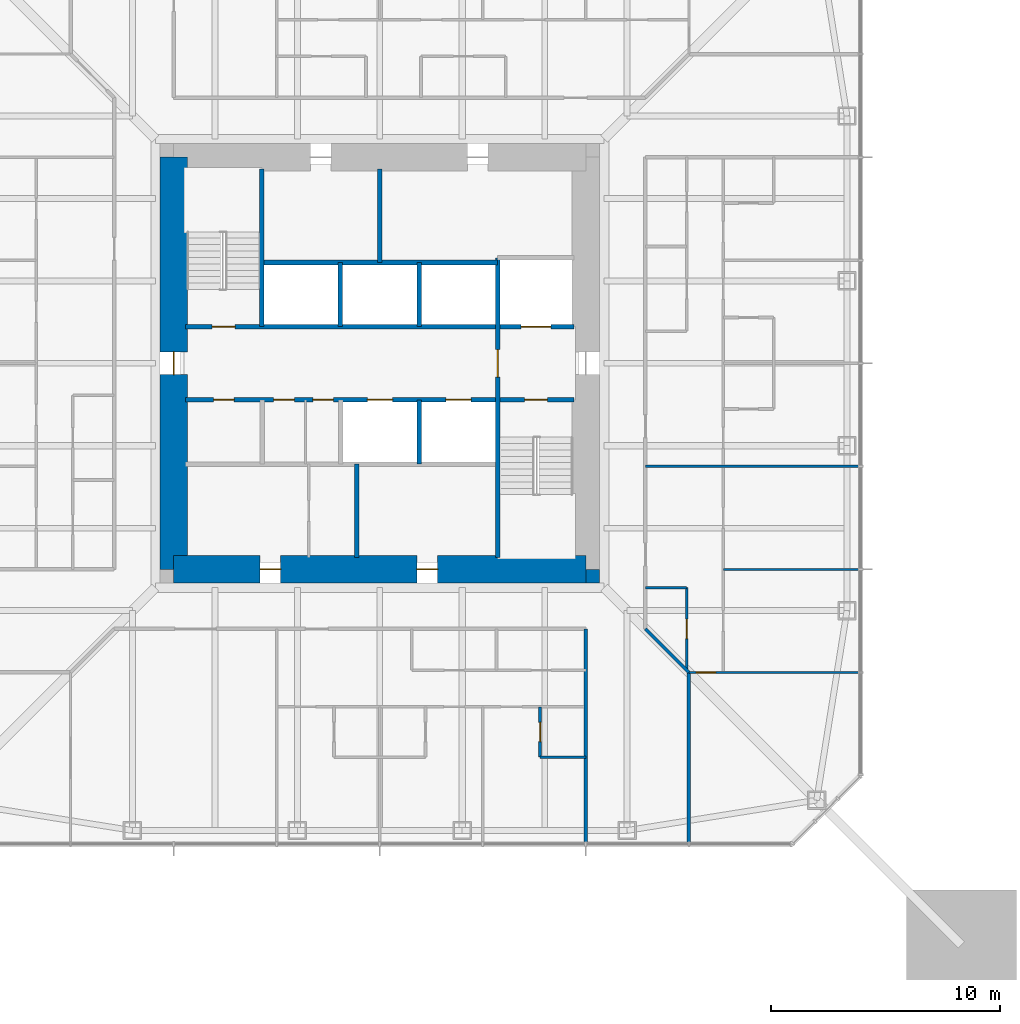
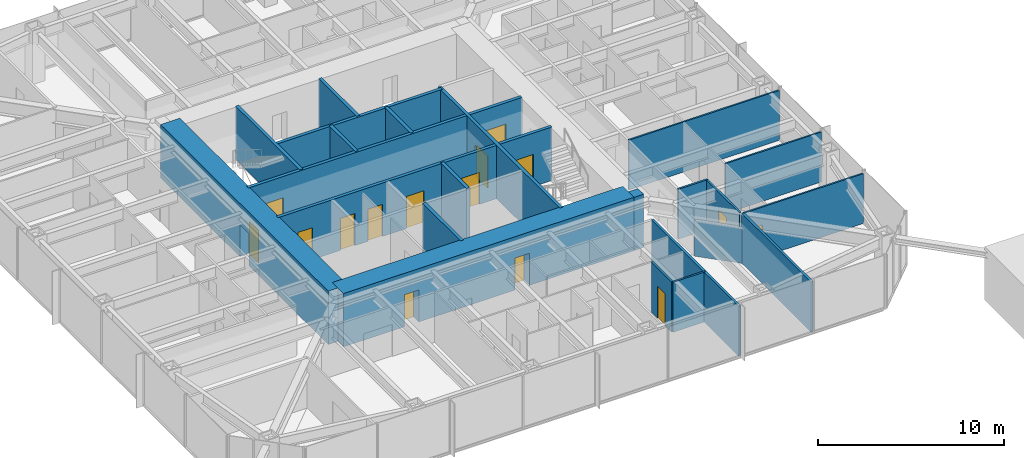
# One storey, part 8 of 14: 23 walls, 15 doors, 15 openings.
"""IFC4 building model written with IfcOpenShell, lengths in metres."""

import ifcopenshell
import ifcopenshell.guid

model = None  # the IFC model being written
_history = None  # IfcOwnerHistory: only IFC2X3 demands one
_inside = {}  # id of a spatial element -> (the spatial element, [elements in it])
_under = {}  # id of a project, library or spatial element -> (it, [spatial elements below it])
_declared = {}  # id of a project -> (the project, [libraries it declares])
_typed = {}  # id of a type object -> (the type object, [elements of that type])
_made_of = {}  # id of a material, layer set ... -> (it, [elements and type objects made of it])


def new_model(schema):
    """Start an empty IFC model of exactly this schema.

    Asked for "IFC4X3", IfcOpenShell would pick the latest addendum, in which some entities
    have other attributes; the version numbers below select the first issue.
    IFC2X3 requires an IfcOwnerHistory on every rooted entity: one is made here for all.
    """
    global model, _history
    if schema == "IFC4X3":
        model = ifcopenshell.file(schema_version=(4, 3, 0, 0))
    else:
        model = ifcopenshell.file(schema=schema)
    _inside.clear()
    _under.clear()
    _declared.clear()
    _typed.clear()
    _made_of.clear()
    _history = None
    if model.schema == "IFC2X3":
        org = make("IfcOrganization", Name="unknown")
        user = make(
            "IfcPersonAndOrganization",
            ThePerson=make("IfcPerson", FamilyName="unknown"),
            TheOrganization=org,
        )
        app = make(
            "IfcApplication",
            ApplicationDeveloper=org,
            Version="unknown",
            ApplicationFullName="unknown",
            ApplicationIdentifier="unknown",
        )
        _history = make(
            "IfcOwnerHistory",
            OwningUser=user,
            OwningApplication=app,
            ChangeAction="ADDED",
            CreationDate=0,
        )
    return model


def make(cls, **values):
    """One entity of the class cls with the attributes given. An attribute that is None is left unset."""
    return model.create_entity(
        cls, **{name: value for name, value in values.items() if value is not None}
    )


def rooted(cls, **values):
    """An entity with a GlobalId (a new one), such as an element, a storey or a relation."""
    return make(cls, GlobalId=ifcopenshell.guid.new(), OwnerHistory=_history, **values)


def si_unit(unit_type, name, prefix=None):
    """IfcSIUnit, for example si_unit("LENGTHUNIT", "METRE", prefix="MILLI")."""
    return make("IfcSIUnit", UnitType=unit_type, Prefix=prefix, Name=name)


def assignment(units):
    """IfcUnitAssignment: the units of a project."""
    return None if units is None else make("IfcUnitAssignment", Units=units)


def point(xyz):
    """IfcCartesianPoint."""
    return None if xyz is None else make("IfcCartesianPoint", Coordinates=xyz)


def direction(xyz):
    """IfcDirection."""
    return None if xyz is None else make("IfcDirection", DirectionRatios=xyz)


def frame(location, z_axis=None, x_axis=None):
    """IfcAxis2Placement3D, a coordinate frame: its origin and axes. An axis left out is left unset."""
    return make(
        "IfcAxis2Placement3D",
        Location=point(location),
        Axis=direction(z_axis),
        RefDirection=direction(x_axis),
    )


def frame_2d(location, x_axis=None):
    """IfcAxis2Placement2D, a coordinate frame in the plane: its origin and x axis."""
    return make(
        "IfcAxis2Placement2D", Location=point(location), RefDirection=direction(x_axis)
    )


def origin():
    """The frame at (0, 0, 0) with its axes left unset."""
    return frame((0.0, 0.0, 0.0))


def place(relative_to, where):
    """IfcLocalPlacement: puts the frame where relative to a parent placement (None: the world)."""
    return make(
        "IfcLocalPlacement", PlacementRelTo=relative_to, RelativePlacement=where
    )


def context(
    kind, dimensions, precision=None, world=None, true_north=None, identifier=None
):
    """IfcGeometricRepresentationContext, for example the 3D "Model" context."""
    return make(
        "IfcGeometricRepresentationContext",
        ContextIdentifier=identifier,
        ContextType=kind,
        CoordinateSpaceDimension=dimensions,
        Precision=precision,
        WorldCoordinateSystem=world,
        TrueNorth=true_north,
    )


def subcontext(parent, identifier, kind, view, scale=None):
    """IfcGeometricRepresentationSubContext, for example "Body" below "Model"."""
    return make(
        "IfcGeometricRepresentationSubContext",
        ContextIdentifier=identifier,
        ContextType=kind,
        ParentContext=parent,
        TargetScale=scale,
        TargetView=view,
    )


def project(units=None, contexts=None):
    """IfcProject with its units and contexts."""
    return rooted(
        "IfcProject",
        Name="project",
        RepresentationContexts=contexts,
        UnitsInContext=assignment(units),
    )


def spatial(cls, under=None, at=None, **own):
    """A site, building, storey or space (cls), placed at a placement, below another one or the project."""
    s = rooted(cls, ObjectPlacement=at, **own)
    if under is not None:
        _under.setdefault(under.id(), (under, []))[1].append(s)
    return s


def profile(cls, at=None, kind="AREA", **sizes):
    """A parametric profile (cls). Its sizes go by their IFC names, for example OverallWidth=200.0."""
    return make(cls, ProfileType=kind, Position=at, **sizes)


def rectangle(**sizes):
    """IfcRectangleProfileDef."""
    return profile("IfcRectangleProfileDef", **sizes)


def extrude(swept, where, along, depth):
    """IfcExtrudedAreaSolid: the profile swept, set in the frame where, extruded along a direction by depth."""
    return make(
        "IfcExtrudedAreaSolid",
        SweptArea=swept,
        Position=where,
        ExtrudedDirection=direction(along),
        Depth=depth,
    )


def shape(context_of_items, identifier, shape_type, items):
    """IfcShapeRepresentation: the items that make up one representation, for example the "Body"."""
    return make(
        "IfcShapeRepresentation",
        ContextOfItems=context_of_items,
        RepresentationIdentifier=identifier,
        RepresentationType=shape_type,
        Items=items,
    )


def material(Name=None, Category=None):
    """IfcMaterial."""
    return make("IfcMaterial", Name=Name, Category=Category)


def layer(
    of_material, thickness, ventilated=None, Name=None, Category=None, Priority=None
):
    """IfcMaterialLayer: one layer of a wall or slab, of a material (None: an air gap)."""
    return make(
        "IfcMaterialLayer",
        Material=of_material,
        LayerThickness=thickness,
        IsVentilated=ventilated,
        Name=Name,
        Category=Category,
        Priority=Priority,
    )


def layer_set(layers, Name=None):
    """IfcMaterialLayerSet."""
    return make("IfcMaterialLayerSet", MaterialLayers=layers, LayerSetName=Name)


def made_of(thing, what):
    """Note that an element or type object is made of a material, layer set ...; save() writes the relation."""
    if what is not None:
        _made_of.setdefault(what.id(), (what, []))[1].append(thing)
    return thing


def type_object(cls, material=None, **own):
    """A type object (cls), such as IfcWallType, which elements share."""
    return made_of(rooted(cls, **own), material)


def element(
    cls,
    number,
    at=None,
    inside=None,
    cuts=None,
    type_object=None,
    material=None,
    context=None,
    identifier="Body",
    shape_type=None,
    held_by="IfcProductDefinitionShape",
    body=None,
    shapes=None,
    **own,
):
    """One element of the class cls, such as IfcWall. Its Tag is "e" and its number.

    at: its placement. inside: the storey or other place that contains it. cuts: it is an
    opening in that element (IfcRelVoidsElement). A single representation is given by context,
    identifier, shape_type and body (its items); several are given by shapes. held_by: the class
    of the entity that holds the representations. save() writes the other relations.
    """
    e = rooted(cls, Tag="e%d" % number, ObjectPlacement=at, **own)
    if body is not None:
        shapes = [shape(context, identifier, shape_type, body)]
    if shapes is not None:
        e.Representation = make(held_by, Representations=shapes)
    if inside is not None:
        _inside.setdefault(inside.id(), (inside, []))[1].append(e)
    if cuts is not None:
        rooted(
            "IfcRelVoidsElement", RelatingBuildingElement=cuts, RelatedOpeningElement=e
        )
    if type_object is not None:
        _typed.setdefault(type_object.id(), (type_object, []))[1].append(e)
    return made_of(e, material)


def fill(opening, filler):
    """IfcRelFillsElement: the door or window that sits in an opening."""
    return rooted(
        "IfcRelFillsElement",
        RelatingOpeningElement=opening,
        RelatedBuildingElement=filler,
    )


def aggregate(whole, parts):
    """IfcRelAggregates: a whole, such as a stair, and the parts it consists of."""
    return rooted("IfcRelAggregates", RelatingObject=whole, RelatedObjects=parts)


def save(model, path):
    """Write the relations noted so far, then the file.

    IfcRelAggregates (storeys below a building ...), IfcRelContainedInSpatialStructure (elements
    in a storey), IfcRelDefinesByType, IfcRelAssociatesMaterial and IfcRelDeclares: one each for
    every whole, place, type object, material and project.
    """
    for whole, parts in _under.values():
        aggregate(whole, parts)
    for where, things in _inside.values():
        rooted(
            "IfcRelContainedInSpatialStructure",
            RelatedElements=things,
            RelatingStructure=where,
        )
    for kind, things in _typed.values():
        rooted("IfcRelDefinesByType", RelatedObjects=things, RelatingType=kind)
    for what, things in _made_of.values():
        rooted("IfcRelAssociatesMaterial", RelatedObjects=things, RelatingMaterial=what)
    for by, libraries in _declared.values():
        rooted("IfcRelDeclares", RelatingContext=by, RelatedDefinitions=libraries)
    model.write(path)


model = new_model("IFC4")

# Units and contexts
model_context = context("Model", 3, precision=1e-05, world=origin(), true_north=direction((0.0, 1.0)))
body_context = subcontext(model_context, "Body", "Model", "MODEL_VIEW")
ifc_project = project(units=[si_unit("LENGTHUNIT", "METRE"), si_unit("AREAUNIT", "SQUARE_METRE"), si_unit("VOLUMEUNIT", "CUBIC_METRE"), si_unit("PLANEANGLEUNIT", "RADIAN"), si_unit("MASSUNIT", "GRAM", prefix="KILO")], contexts=[model_context])

# Site, building, storey
site_placement = place(None, origin())
site = spatial("IfcSite", under=ifc_project, at=site_placement, CompositionType="ELEMENT")
building_placement = place(site_placement, origin())
building = spatial("IfcBuilding", under=site, at=building_placement, Name="Iwan Alto Co-Living Towers", CompositionType="ELEMENT")
storey_placement = place(building_placement, frame((0.0, 0.0, 136.5)))
storey = spatial("IfcBuildingStorey", under=building, at=storey_placement, Name="L37", CompositionType="ELEMENT", Elevation=136.5)

# Walls
ifc_material_1 = material(Name="Gypsum board")
ifc_layer_1 = layer(ifc_material_1, 0.02490234375, Name="Board", Category="Finish")
ifc_material_2 = material(Name="Steel ASTM A1003 ST33H cold-formed studs", Category="steel")
ifc_layer_2 = layer(ifc_material_2, 0.10009765625, Name="Studs", Category="Framing")
ifc_layer_3 = layer(ifc_material_1, 0.02490234375, Name="Board", Category="Finish")
ifc_layer_set_1 = layer_set([ifc_layer_1, ifc_layer_2, ifc_layer_3], Name="CORRIDOR WALL 150")
wall_type_1 = type_object("IfcWallType", Name="CORRIDOR WALL 150", PredefinedType="PARTITIONING", material=ifc_layer_set_1)
wall_1_placement = place(storey_placement, frame((13.5, -20.93994140625, 0.0), z_axis=(0.0, 0.0, 1.0), x_axis=(0.0, 1.0, 0.0)))
element("IfcWall", 1, at=wall_1_placement, inside=storey, type_object=wall_type_1, Name="Partition L37", PredefinedType="PARTITIONING", context=body_context, shape_type="SweptSolid", body=[
    extrude(rectangle(XDim=7.43994140625, YDim=0.14990234375, at=frame_2d((3.719970703125, 0.0))), origin(), (0.0, 0.0, 1.0), 3.27001953125),
])
wall_2_placement = place(storey_placement, frame((9.0, -20.93994140625, 0.0), z_axis=(0.0, 0.0, 1.0), x_axis=(0.0, 1.0, 0.0)))
element("IfcWall", 2, at=wall_2_placement, inside=storey, type_object=wall_type_1, Name="Partition L37", PredefinedType="PARTITIONING", context=body_context, shape_type="SweptSolid", body=[
    extrude(rectangle(XDim=9.33984375, YDim=0.14990234375, at=frame_2d((4.669921875, 0.0))), origin(), (0.0, 0.0, 1.0), 3.27001953125),
])
wall_3_placement = place(storey_placement, frame((13.5, -13.5, 0.0), z_axis=(0.0, 0.0, 1.0), x_axis=(-0.707106781187, 0.707106781187, 0.0)))
element("IfcWall", 3, at=wall_3_placement, inside=storey, type_object=wall_type_1, Name="Partition L37", PredefinedType="PARTITIONING", context=body_context, shape_type="SweptSolid", body=[
    extrude(rectangle(XDim=2.686767578125, YDim=0.14990234375, at=frame_2d((1.34326171875, 0.0))), origin(), (0.0, 0.0, 1.0), 2.343017578125),
])

# Wall, opening, door
ifc_layer_4 = layer(ifc_material_1, 0.012451171875, Name="Board", Category="Finish")
ifc_layer_5 = layer(ifc_material_2, 0.074951171875, Name="Studs", Category="Framing")
ifc_layer_6 = layer(ifc_material_1, 0.012451171875, Name="Board", Category="Finish")
ifc_layer_set_2 = layer_set([ifc_layer_4, ifc_layer_5, ifc_layer_6], Name="PARTITION 100")
wall_type_2 = type_object("IfcWallType", Name="PARTITION 100", PredefinedType="PARTITIONING", material=ifc_layer_set_2)
wall_4_placement = place(storey_placement, frame((13.5, -13.5, 0.0), z_axis=(0.0, 0.0, 1.0), x_axis=(1.0, 0.0, 0.0)))
wall_4 = element("IfcWall", 4, at=wall_4_placement, inside=storey, type_object=wall_type_2, Name="Partition L37", PredefinedType="PARTITIONING", context=body_context, shape_type="SweptSolid", body=[
    extrude(rectangle(XDim=7.43994140625, YDim=0.10009765625, at=frame_2d((3.719970703125, 0.0))), origin(), (0.0, 0.0, 1.0), 3.27001953125),
])
opening_1_placement = place(wall_4_placement, frame((0.324951171875, 0.0, 0.0)))
opening_1 = element("IfcOpeningElement", 5, at=opening_1_placement, cuts=wall_4, Name="Opening D2", PredefinedType="OPENING", context=body_context, shape_type="SweptSolid", body=[
    extrude(rectangle(XDim=0.85009765625, YDim=2.10009765625, at=frame_2d((0.425048828125, 1.050048828125))), frame((0.0, 0.06005859375, 0.0), z_axis=(0.0, -1.0, 0.0), x_axis=(1.0, 0.0, 0.0)), (0.0, 0.0, 1.0), 0.1201171875),
])
ifc_material_3 = material(Name="Timber leaf in steel frame", Category="steel")
door_type_1 = type_object("IfcDoorType", Name="ROOM DOOR 850X2100", OperationType="SINGLE_SWING_LEFT", PredefinedType="DOOR", material=ifc_material_3)
door_1_placement = place(opening_1_placement, frame((0.85009765625, 0.0, 0.0), z_axis=(0.0, 0.0, 1.0), x_axis=(-1.0, 0.0, 0.0)))
door_1 = element("IfcDoor", 6, at=door_1_placement, inside=storey, type_object=door_type_1, Name="Shared kitchen and lounge door L37", OperationType="SINGLE_SWING_RIGHT", OverallHeight=2.10009765625, OverallWidth=0.85009765625, PredefinedType="DOOR", context=body_context, shape_type="SweptSolid", body=[
    extrude(rectangle(XDim=0.85009765625, YDim=2.10009765625, at=frame_2d((0.425048828125, 1.050048828125))), frame((0.0, 0.02490234375, 0.0), z_axis=(0.0, -1.0, 0.0), x_axis=(1.0, 0.0, 0.0)), (0.0, 0.0, 1.0), 0.050048828125),
])
fill(opening_1, door_1)

# Walls
wall_5_placement = place(storey_placement, frame((15.0, -9.0, 0.0), z_axis=(0.0, 0.0, 1.0), x_axis=(1.0, 0.0, 0.0)))
element("IfcWall", 7, at=wall_5_placement, inside=storey, type_object=wall_type_2, Name="Partition L37", PredefinedType="PARTITIONING", context=body_context, shape_type="SweptSolid", body=[
    extrude(rectangle(XDim=5.93994140625, YDim=0.10009765625, at=frame_2d((2.969970703125, 0.0))), origin(), (0.0, 0.0, 1.0), 3.27001953125),
])
wall_6_placement = place(storey_placement, frame((11.60009765625, -4.5, 0.0), z_axis=(0.0, 0.0, 1.0), x_axis=(1.0, 0.0, 0.0)))
element("IfcWall", 8, at=wall_6_placement, inside=storey, type_object=wall_type_2, Name="Partition L37", PredefinedType="PARTITIONING", context=body_context, shape_type="SweptSolid", body=[
    extrude(rectangle(XDim=9.33984375, YDim=0.10009765625, at=frame_2d((4.669921875, 0.0))), origin(), (0.0, 0.0, 1.0), 3.27001953125),
])

# Wall, openings, doors
ifc_material_4 = material(Name="Concrete f'c 70 MPa", Category="concrete")
ifc_layer_7 = layer(ifc_material_4, 0.199951171875)
ifc_layer_set_3 = layer_set([ifc_layer_7], Name="SHAFT WALL 200")
wall_type_3 = type_object("IfcWallType", Name="SHAFT WALL 200", PredefinedType="SOLIDWALL", material=ifc_layer_set_3)
wall_7_placement = place(storey_placement, frame((-8.489990234375, -1.60009765625, 0.0), z_axis=(0.0, 0.0, 1.0), x_axis=(1.0, 0.0, 0.0)))
wall_7 = element("IfcWall", 9, at=wall_7_placement, inside=storey, type_object=wall_type_3, Name="Shaft wall L37", PredefinedType="SOLIDWALL", context=body_context, shape_type="SweptSolid", body=[
    extrude(rectangle(XDim=16.97998046875, YDim=0.199951171875, at=frame_2d((8.489990234375, 0.0))), origin(), (0.0, 0.0, 1.0), 3.5),
])
opening_2_placement = place(wall_7_placement, frame((14.81005859375, 0.0, 0.0)))
opening_2 = element("IfcOpeningElement", 10, at=opening_2_placement, cuts=wall_7, Name="Opening D5", PredefinedType="OPENING", context=body_context, shape_type="SweptSolid", body=[
    extrude(rectangle(XDim=1.0, YDim=2.10009765625, at=frame_2d((0.5, 1.050048828125))), frame((0.0, 0.10986328125, 0.0), z_axis=(0.0, -1.0, 0.0), x_axis=(1.0, 0.0, 0.0)), (0.0, 0.0, 1.0), 0.219970703125),
])
opening_3_placement = place(wall_7_placement, frame((1.23193359375, 0.0, 0.0)))
opening_3 = element("IfcOpeningElement", 11, at=opening_3_placement, cuts=wall_7, Name="Opening D15", PredefinedType="OPENING", context=body_context, shape_type="SweptSolid", body=[
    extrude(rectangle(XDim=0.89990234375, YDim=2.10009765625, at=frame_2d((0.449951171875, 1.050048828125))), frame((0.0, 0.10986328125, 0.0), z_axis=(0.0, -1.0, 0.0), x_axis=(1.0, 0.0, 0.0)), (0.0, 0.0, 1.0), 0.219970703125),
])
opening_4_placement = place(wall_7_placement, frame((5.570068359375, 0.0, 0.0)))
opening_4 = element("IfcOpeningElement", 12, at=opening_4_placement, cuts=wall_7, Name="Opening D15", PredefinedType="OPENING", context=body_context, shape_type="SweptSolid", body=[
    extrude(rectangle(XDim=0.89990234375, YDim=2.10009765625, at=frame_2d((0.449951171875, 1.050048828125))), frame((0.0, 0.10986328125, 0.0), z_axis=(0.0, -1.0, 0.0), x_axis=(1.0, 0.0, 0.0)), (0.0, 0.0, 1.0), 0.219970703125),
])
opening_5_placement = place(wall_7_placement, frame((3.85693359375, 0.0, 0.0)))
opening_5 = element("IfcOpeningElement", 13, at=opening_5_placement, cuts=wall_7, Name="Opening D15", PredefinedType="OPENING", context=body_context, shape_type="SweptSolid", body=[
    extrude(rectangle(XDim=0.89990234375, YDim=2.10009765625, at=frame_2d((0.449951171875, 1.050048828125))), frame((0.0, 0.10986328125, 0.0), z_axis=(0.0, -1.0, 0.0), x_axis=(1.0, 0.0, 0.0)), (0.0, 0.0, 1.0), 0.219970703125),
])
opening_6_placement = place(wall_7_placement, frame((7.952880859375, 0.0, 0.0)))
opening_6 = element("IfcOpeningElement", 14, at=opening_6_placement, cuts=wall_7, Name="Opening LD", PredefinedType="OPENING", context=body_context, shape_type="SweptSolid", body=[
    extrude(rectangle(XDim=1.10009765625, YDim=2.10009765625, at=frame_2d((0.550048828125, 1.050048828125))), frame((0.0, 0.10986328125, 0.0), z_axis=(0.0, -1.0, 0.0), x_axis=(1.0, 0.0, 0.0)), (0.0, 0.0, 1.0), 0.219970703125),
])
opening_7_placement = place(wall_7_placement, frame((11.3779296875, 0.0, 0.0)))
opening_7 = element("IfcOpeningElement", 15, at=opening_7_placement, cuts=wall_7, Name="Opening LD", PredefinedType="OPENING", context=body_context, shape_type="SweptSolid", body=[
    extrude(rectangle(XDim=1.10009765625, YDim=2.10009765625, at=frame_2d((0.550048828125, 1.050048828125))), frame((0.0, 0.10986328125, 0.0), z_axis=(0.0, -1.0, 0.0), x_axis=(1.0, 0.0, 0.0)), (0.0, 0.0, 1.0), 0.219970703125),
])
ifc_material_5 = material(Name="Steel frame with timber leaf", Category="steel")
door_type_2 = type_object("IfcDoorType", Name="CORE ROOM DOOR FD60S 900X2100", OperationType="SINGLE_SWING_LEFT", PredefinedType="DOOR", material=ifc_material_5)
door_2_placement = place(opening_3_placement, frame((0.89990234375, 0.0, 0.0), z_axis=(0.0, 0.0, 1.0), x_axis=(-1.0, 0.0, 0.0)))
door_2 = element("IfcDoor", 16, at=door_2_placement, inside=storey, type_object=door_type_2, Name="Housekeeping store door L37", OperationType="SINGLE_SWING_LEFT", OverallHeight=2.10009765625, OverallWidth=0.89990234375, PredefinedType="DOOR", context=body_context, shape_type="SweptSolid", body=[
    extrude(rectangle(XDim=0.89990234375, YDim=2.10009765625, at=frame_2d((0.449951171875, 1.050048828125))), frame((0.0, 0.02490234375, 0.0), z_axis=(0.0, -1.0, 0.0), x_axis=(1.0, 0.0, 0.0)), (0.0, 0.0, 1.0), 0.050048828125),
])
fill(opening_3, door_2)
door_3_placement = place(opening_4_placement, frame((0.89990234375, 0.0, 0.0), z_axis=(0.0, 0.0, 1.0), x_axis=(-1.0, 0.0, 0.0)))
door_3 = element("IfcDoor", 17, at=door_3_placement, inside=storey, type_object=door_type_2, Name="Cleaner's store door L37", OperationType="SINGLE_SWING_RIGHT", OverallHeight=2.10009765625, OverallWidth=0.89990234375, PredefinedType="DOOR", context=body_context, shape_type="SweptSolid", body=[
    extrude(rectangle(XDim=0.89990234375, YDim=2.10009765625, at=frame_2d((0.449951171875, 1.050048828125))), frame((0.0, 0.02490234375, 0.0), z_axis=(0.0, -1.0, 0.0), x_axis=(1.0, 0.0, 0.0)), (0.0, 0.0, 1.0), 0.050048828125),
])
fill(opening_4, door_3)
door_4_placement = place(opening_5_placement, frame((0.89990234375, 0.0, 0.0), z_axis=(0.0, 0.0, 1.0), x_axis=(-1.0, 0.0, 0.0)))
door_4 = element("IfcDoor", 18, at=door_4_placement, inside=storey, type_object=door_type_2, Name="Bulk store door L37", OperationType="SINGLE_SWING_RIGHT", OverallHeight=2.10009765625, OverallWidth=0.89990234375, PredefinedType="DOOR", context=body_context, shape_type="SweptSolid", body=[
    extrude(rectangle(XDim=0.89990234375, YDim=2.10009765625, at=frame_2d((0.449951171875, 1.050048828125))), frame((0.0, 0.02490234375, 0.0), z_axis=(0.0, -1.0, 0.0), x_axis=(1.0, 0.0, 0.0)), (0.0, 0.0, 1.0), 0.050048828125),
])
fill(opening_5, door_4)
ifc_material_6 = material(Name="Steel frame with timber leaf", Category="steel")
door_type_3 = type_object("IfcDoorType", Name="LIFT LANDING DOOR 1100X2100", OperationType="DOUBLE_DOOR_SLIDING", PredefinedType="DOOR", material=ifc_material_6)
door_5_placement = place(opening_6_placement, origin())
door_5 = element("IfcDoor", 19, at=door_5_placement, inside=storey, type_object=door_type_3, Name="Lift P2-3 landing door L37", OperationType="DOUBLE_DOOR_SLIDING", OverallHeight=2.10009765625, OverallWidth=1.10009765625, PredefinedType="DOOR", context=body_context, shape_type="SweptSolid", body=[
    extrude(rectangle(XDim=1.10009765625, YDim=2.10009765625, at=frame_2d((0.550048828125, 1.050048828125))), frame((0.0, 0.02490234375, 0.0), z_axis=(0.0, -1.0, 0.0), x_axis=(1.0, 0.0, 0.0)), (0.0, 0.0, 1.0), 0.050048828125),
])
fill(opening_6, door_5)
door_6_placement = place(opening_7_placement, origin())
door_6 = element("IfcDoor", 20, at=door_6_placement, inside=storey, type_object=door_type_3, Name="Lift P2-4 landing door L37", OperationType="DOUBLE_DOOR_SLIDING", OverallHeight=2.10009765625, OverallWidth=1.10009765625, PredefinedType="DOOR", context=body_context, shape_type="SweptSolid", body=[
    extrude(rectangle(XDim=1.10009765625, YDim=2.10009765625, at=frame_2d((0.550048828125, 1.050048828125))), frame((0.0, 0.02490234375, 0.0), z_axis=(0.0, -1.0, 0.0), x_axis=(1.0, 0.0, 0.0)), (0.0, 0.0, 1.0), 0.050048828125),
])
fill(opening_7, door_6)
ifc_material_7 = material(Name="Steel frame with timber leaf", Category="steel")
door_type_4 = type_object("IfcDoorType", Name="STAIR DOOR FD120S 1000X2100", OperationType="SINGLE_SWING_LEFT", PredefinedType="DOOR", material=ifc_material_7)
door_7_placement = place(opening_2_placement, frame((1.0, 0.0, 0.0), z_axis=(0.0, 0.0, 1.0), x_axis=(-1.0, 0.0, 0.0)))
door_7 = element("IfcDoor", 21, at=door_7_placement, inside=storey, type_object=door_type_4, Name="Stair S2 door L37", OperationType="SINGLE_SWING_RIGHT", OverallHeight=2.10009765625, OverallWidth=1.0, PredefinedType="DOOR", context=body_context, shape_type="SweptSolid", body=[
    extrude(rectangle(XDim=1.0, YDim=2.10009765625, at=frame_2d((0.5, 1.050048828125))), frame((0.0, 0.02490234375, 0.0), z_axis=(0.0, -1.0, 0.0), x_axis=(1.0, 0.0, 0.0)), (0.0, 0.0, 1.0), 0.050048828125),
])
fill(opening_2, door_7)

wall_8_placement = place(storey_placement, frame((-8.489990234375, 1.60009765625, 0.0), z_axis=(0.0, 0.0, 1.0), x_axis=(1.0, 0.0, 0.0)))
wall_8 = element("IfcWall", 22, at=wall_8_placement, inside=storey, type_object=wall_type_3, Name="Shaft wall L37", PredefinedType="SOLIDWALL", context=body_context, shape_type="SweptSolid", body=[
    extrude(rectangle(XDim=16.97998046875, YDim=0.199951171875, at=frame_2d((8.489990234375, 0.0))), origin(), (0.0, 0.0, 1.0), 3.5),
])
opening_8_placement = place(wall_8_placement, frame((1.169921875, 0.0, 0.0)))
opening_8 = element("IfcOpeningElement", 23, at=opening_8_placement, cuts=wall_8, Name="Opening D5", PredefinedType="OPENING", context=body_context, shape_type="SweptSolid", body=[
    extrude(rectangle(XDim=1.0, YDim=2.10009765625, at=frame_2d((0.5, 1.050048828125))), frame((0.0, 0.10986328125, 0.0), z_axis=(0.0, -1.0, 0.0), x_axis=(1.0, 0.0, 0.0)), (0.0, 0.0, 1.0), 0.219970703125),
])
opening_9_placement = place(wall_8_placement, frame((14.659912109375, 0.0, 0.0)))
opening_9 = element("IfcOpeningElement", 24, at=opening_9_placement, cuts=wall_8, Name="Opening LD2", PredefinedType="OPENING", context=body_context, shape_type="SweptSolid", body=[
    extrude(rectangle(XDim=1.300048828125, YDim=2.10009765625, at=frame_2d((0.64990234375, 1.050048828125))), frame((0.0, 0.10986328125, 0.0), z_axis=(0.0, -1.0, 0.0), x_axis=(1.0, 0.0, 0.0)), (0.0, 0.0, 1.0), 0.219970703125),
])
ifc_material_8 = material(Name="Steel frame with timber leaf", Category="steel")
door_type_5 = type_object("IfcDoorType", Name="LIFT LANDING DOOR 1300X2100", OperationType="SLIDING_TO_LEFT", PredefinedType="DOOR", material=ifc_material_8)
door_8_placement = place(opening_9_placement, origin())
door_8 = element("IfcDoor", 25, at=door_8_placement, inside=storey, type_object=door_type_5, Name="Lift FL1 landing door L37", OperationType="SLIDING_TO_LEFT", OverallHeight=2.10009765625, OverallWidth=1.300048828125, PredefinedType="DOOR", context=body_context, shape_type="SweptSolid", body=[
    extrude(rectangle(XDim=1.300048828125, YDim=2.10009765625, at=frame_2d((0.64990234375, 1.050048828125))), frame((0.0, 0.02490234375, 0.0), z_axis=(0.0, -1.0, 0.0), x_axis=(1.0, 0.0, 0.0)), (0.0, 0.0, 1.0), 0.050048828125),
])
fill(opening_9, door_8)
door_9_placement = place(opening_8_placement, origin())
door_9 = element("IfcDoor", 26, at=door_9_placement, inside=storey, type_object=door_type_4, Name="Stair S1 door L37", OperationType="SINGLE_SWING_RIGHT", OverallHeight=2.10009765625, OverallWidth=1.0, PredefinedType="DOOR", context=body_context, shape_type="SweptSolid", body=[
    extrude(rectangle(XDim=1.0, YDim=2.10009765625, at=frame_2d((0.5, 1.050048828125))), frame((0.0, 0.02490234375, 0.0), z_axis=(0.0, -1.0, 0.0), x_axis=(1.0, 0.0, 0.0)), (0.0, 0.0, 1.0), 0.050048828125),
])
fill(opening_8, door_9)

# Wall
wall_9_placement = place(storey_placement, frame((-5.14990234375, 4.39990234375, 0.0), z_axis=(0.0, 0.0, 1.0), x_axis=(1.0, 0.0, 0.0)))
element("IfcWall", 27, at=wall_9_placement, inside=storey, type_object=wall_type_3, Name="Shaft wall L37", PredefinedType="SOLIDWALL", context=body_context, shape_type="SweptSolid", body=[
    extrude(rectangle(XDim=10.2998046875, YDim=0.199951171875, at=frame_2d((5.14990234375, 0.0))), origin(), (0.0, 0.0, 1.0), 3.5),
])

# Wall, opening, door
wall_10_placement = place(storey_placement, frame((5.14990234375, -8.489990234375, 0.0), z_axis=(0.0, 0.0, 1.0), x_axis=(0.0, 1.0, 0.0)))
wall_10 = element("IfcWall", 28, at=wall_10_placement, inside=storey, type_object=wall_type_3, Name="Shaft wall L37", PredefinedType="SOLIDWALL", context=body_context, shape_type="SweptSolid", body=[
    extrude(rectangle(XDim=13.090087890625, YDim=0.199951171875, at=frame_2d((6.544921875, 0.0))), origin(), (0.0, 0.0, 1.0), 3.5),
])
opening_10_placement = place(wall_10_placement, frame((7.889892578125, 0.0, 0.0)))
opening_10 = element("IfcOpeningElement", 29, at=opening_10_placement, cuts=wall_10, Name="Opening D6", PredefinedType="OPENING", context=body_context, shape_type="SweptSolid", body=[
    extrude(rectangle(XDim=1.199951171875, YDim=2.10009765625, at=frame_2d((0.60009765625, 1.050048828125))), frame((0.0, 0.10986328125, 0.0), z_axis=(0.0, -1.0, 0.0), x_axis=(1.0, 0.0, 0.0)), (0.0, 0.0, 1.0), 0.219970703125),
])
ifc_material_9 = material(Name="Steel frame with timber leaf", Category="steel")
door_type_6 = type_object("IfcDoorType", Name="LOBBY DOOR FD120S 1200X2100", OperationType="SINGLE_SWING_LEFT", PredefinedType="DOOR", material=ifc_material_9)
door_10_placement = place(opening_10_placement, frame((1.199951171875, 0.0, 0.0), z_axis=(0.0, 0.0, 1.0), x_axis=(-1.0, 0.0, 0.0)))
door_10 = element("IfcDoor", 30, at=door_10_placement, inside=storey, type_object=door_type_6, Name="Firefighting lobby door L37", OperationType="SINGLE_SWING_RIGHT", OverallHeight=2.10009765625, OverallWidth=1.199951171875, PredefinedType="DOOR", context=body_context, shape_type="SweptSolid", body=[
    extrude(rectangle(XDim=1.199951171875, YDim=2.10009765625, at=frame_2d((0.60009765625, 1.050048828125))), frame((0.0, 0.02490234375, 0.0), z_axis=(0.0, -1.0, 0.0), x_axis=(1.0, 0.0, 0.0)), (0.0, 0.0, 1.0), 0.050048828125),
])
fill(opening_10, door_10)

# Walls
for number, where, z_axis, x_axis, name in (
    (31, (1.72509765625, -4.39990234375, 0.0), (0.0, 0.0, 1.0), (0.0, 1.0, 0.0), "Shaft wall L37"),
    (32, (1.717041015625, 1.60009765625, 0.0), (0.0, 0.0, 1.0), (0.0, 1.0, 0.0), "Shaft wall L37"),
):
    element("IfcWall", number, at=place(storey_placement, frame(where, z_axis=z_axis, x_axis=x_axis)), inside=storey, type_object=wall_type_3, Name=name, PredefinedType="SOLIDWALL", context=body_context, shape_type="SweptSolid", body=[
        extrude(rectangle(XDim=2.7998046875, YDim=0.199951171875, at=frame_2d((1.39990234375, 0.0))), origin(), (0.0, 0.0, 1.0), 3.5),
    ])
for number, where, z_axis, x_axis, name in (
    (33, (0.0, 4.39990234375, 0.0), (0.0, 0.0, 1.0), (0.0, 1.0, 0.0), "Shaft wall L37"),
    (34, (-1.0, -8.489990234375, 0.0), (0.0, 0.0, 1.0), (0.0, 1.0, 0.0), "Shaft wall L37"),
):
    element("IfcWall", number, at=place(storey_placement, frame(where, z_axis=z_axis, x_axis=x_axis)), inside=storey, type_object=wall_type_3, Name=name, PredefinedType="SOLIDWALL", context=body_context, shape_type="SweptSolid", body=[
        extrude(rectangle(XDim=4.090087890625, YDim=0.199951171875, at=frame_2d((2.044921875, 0.0))), origin(), (0.0, 0.0, 1.0), 3.5),
    ])
wall_11_placement = place(storey_placement, frame((-1.717041015625, 1.60009765625, 0.0), z_axis=(0.0, 0.0, 1.0), x_axis=(0.0, 1.0, 0.0)))
element("IfcWall", 35, at=wall_11_placement, inside=storey, type_object=wall_type_3, Name="Shaft wall L37", PredefinedType="SOLIDWALL", context=body_context, shape_type="SweptSolid", body=[
    extrude(rectangle(XDim=2.7998046875, YDim=0.199951171875, at=frame_2d((1.39990234375, 0.0))), origin(), (0.0, 0.0, 1.0), 3.5),
])
wall_12_placement = place(storey_placement, frame((-5.14990234375, 1.60009765625, 0.0), z_axis=(0.0, 0.0, 1.0), x_axis=(0.0, 1.0, 0.0)))
element("IfcWall", 36, at=wall_12_placement, inside=storey, type_object=wall_type_3, Name="Shaft wall L37", PredefinedType="SOLIDWALL", context=body_context, shape_type="SweptSolid", body=[
    extrude(rectangle(XDim=6.889892578125, YDim=0.199951171875, at=frame_2d((3.44482421875, 0.0))), origin(), (0.0, 0.0, 1.0), 3.5),
])
ifc_material_10 = material(Name="Concrete f'c 70 MPa", Category="concrete")
ifc_layer_8 = layer(ifc_material_10, 0.60009765625)
ifc_layer_set_4 = layer_set([ifc_layer_8], Name="T1 CORE CORNER FILL 600")
wall_type_4 = type_object("IfcWallType", Name="T1 CORE CORNER FILL 600", PredefinedType="SOLIDWALL", material=ifc_layer_set_4)
wall_13_placement = place(storey_placement, frame((9.0, -9.300048828125, 0.0), z_axis=(0.0, 0.0, 1.0), x_axis=(1.0, 0.0, 0.0)))
element("IfcWall", 37, at=wall_13_placement, inside=storey, type_object=wall_type_4, Name="T1 core corner SE L37", PredefinedType="SOLIDWALL", context=body_context, shape_type="SweptSolid", body=[
    extrude(rectangle(XDim=0.60009765625, YDim=0.60009765625, at=frame_2d((0.300048828125, 0.0))), origin(), (0.0, 0.0, 1.0), 3.5),
])

# Wall, openings, doors
ifc_material_11 = material(Name="Concrete f'c 70 MPa", Category="concrete")
ifc_layer_9 = layer(ifc_material_11, 1.199951171875)
ifc_layer_set_5 = layer_set([ifc_layer_9], Name="T1 CORE WALL 1200")
wall_type_5 = type_object("IfcWallType", Name="T1 CORE WALL 1200", PredefinedType="SHEAR", material=ifc_layer_set_5)
wall_14_placement = place(storey_placement, frame((-9.0, -9.0, 0.0), z_axis=(0.0, 0.0, 1.0), x_axis=(1.0, 0.0, 0.0)))
wall_14 = element("IfcWall", 38, at=wall_14_placement, inside=storey, type_object=wall_type_5, Name="T1 core wall S L37", PredefinedType="SHEAR", context=body_context, shape_type="SweptSolid", body=[
    extrude(rectangle(XDim=18.0, YDim=1.199951171875, at=frame_2d((9.0, 0.0))), origin(), (0.0, 0.0, 1.0), 3.5),
])
opening_11_placement = place(wall_14_placement, frame((3.77490234375, 0.0, 0.0)))
opening_11 = element("IfcOpeningElement", 39, at=opening_11_placement, cuts=wall_14, Name="Opening D8", PredefinedType="OPENING", context=body_context, shape_type="SweptSolid", body=[
    extrude(rectangle(XDim=0.89990234375, YDim=2.10009765625, at=frame_2d((0.449951171875, 1.050048828125))), frame((0.0, 0.60986328125, 0.0), z_axis=(0.0, -1.0, 0.0), x_axis=(1.0, 0.0, 0.0)), (0.0, 0.0, 1.0), 1.219970703125),
])
opening_12_placement = place(wall_14_placement, frame((10.625, 0.0, 0.0)))
opening_12 = element("IfcOpeningElement", 40, at=opening_12_placement, cuts=wall_14, Name="Opening D8", PredefinedType="OPENING", context=body_context, shape_type="SweptSolid", body=[
    extrude(rectangle(XDim=0.89990234375, YDim=2.10009765625, at=frame_2d((0.449951171875, 1.050048828125))), frame((0.0, 0.60986328125, 0.0), z_axis=(0.0, -1.0, 0.0), x_axis=(1.0, 0.0, 0.0)), (0.0, 0.0, 1.0), 1.219970703125),
])
ifc_material_12 = material(Name="Steel frame with timber leaf", Category="steel")
door_type_7 = type_object("IfcDoorType", Name="RISER DOOR FD120 900X2100", OperationType="SINGLE_SWING_LEFT", PredefinedType="DOOR", material=ifc_material_12)
door_11_placement = place(opening_11_placement, origin())
door_11 = element("IfcDoor", 41, at=door_11_placement, inside=storey, type_object=door_type_7, Name="Refuse room core door L37", OperationType="SINGLE_SWING_RIGHT", OverallHeight=2.10009765625, OverallWidth=0.89990234375, PredefinedType="DOOR", context=body_context, shape_type="SweptSolid", body=[
    extrude(rectangle(XDim=0.89990234375, YDim=2.10009765625, at=frame_2d((0.449951171875, 1.050048828125))), frame((0.0, 0.02490234375, 0.0), z_axis=(0.0, -1.0, 0.0), x_axis=(1.0, 0.0, 0.0)), (0.0, 0.0, 1.0), 0.050048828125),
])
fill(opening_11, door_11)
door_12_placement = place(opening_12_placement, origin())
door_12 = element("IfcDoor", 42, at=door_12_placement, inside=storey, type_object=door_type_7, Name="Telecom riser core door L37", OperationType="SINGLE_SWING_LEFT", OverallHeight=2.10009765625, OverallWidth=0.89990234375, PredefinedType="DOOR", context=body_context, shape_type="SweptSolid", body=[
    extrude(rectangle(XDim=0.89990234375, YDim=2.10009765625, at=frame_2d((0.449951171875, 1.050048828125))), frame((0.0, 0.02490234375, 0.0), z_axis=(0.0, -1.0, 0.0), x_axis=(1.0, 0.0, 0.0)), (0.0, 0.0, 1.0), 0.050048828125),
])
fill(opening_12, door_12)

# Wall, opening, door
wall_15_placement = place(storey_placement, frame((-9.0, 9.0, 0.0), z_axis=(0.0, 0.0, 1.0), x_axis=(0.0, -1.0, 0.0)))
wall_15 = element("IfcWall", 43, at=wall_15_placement, inside=storey, type_object=wall_type_5, Name="T1 core wall W L37", PredefinedType="SHEAR", context=body_context, shape_type="SweptSolid", body=[
    extrude(rectangle(XDim=18.0, YDim=1.199951171875, at=frame_2d((9.0, 0.0))), origin(), (0.0, 0.0, 1.0), 3.5),
])
opening_13_placement = place(wall_15_placement, frame((8.5, 0.0, 0.0)))
opening_13 = element("IfcOpeningElement", 44, at=opening_13_placement, cuts=wall_15, Name="Opening D7", PredefinedType="OPENING", context=body_context, shape_type="SweptSolid", body=[
    extrude(rectangle(XDim=1.0, YDim=2.10009765625, at=frame_2d((0.5, 1.050048828125))), frame((0.0, 0.60986328125, 0.0), z_axis=(0.0, -1.0, 0.0), x_axis=(1.0, 0.0, 0.0)), (0.0, 0.0, 1.0), 1.219970703125),
])
ifc_material_13 = material(Name="Steel frame with timber leaf", Category="steel")
door_type_8 = type_object("IfcDoorType", Name="CORE DOOR FD120S 1000X2100", OperationType="SINGLE_SWING_LEFT", PredefinedType="DOOR", material=ifc_material_13)
door_13_placement = place(opening_13_placement, origin())
door_13 = element("IfcDoor", 45, at=door_13_placement, inside=storey, type_object=door_type_8, Name="Lift lobby core door L37", OperationType="SINGLE_SWING_RIGHT", OverallHeight=2.10009765625, OverallWidth=1.0, PredefinedType="DOOR", context=body_context, shape_type="SweptSolid", body=[
    extrude(rectangle(XDim=1.0, YDim=2.10009765625, at=frame_2d((0.5, 1.050048828125))), frame((0.0, 0.02490234375, 0.0), z_axis=(0.0, -1.0, 0.0), x_axis=(1.0, 0.0, 0.0)), (0.0, 0.0, 1.0), 0.050048828125),
])
fill(opening_13, door_13)

# Walls
ifc_material_14 = material(Name="Cement board")
ifc_layer_10 = layer(ifc_material_14, 0.012451171875, Name="Board", Category="Finish")
ifc_layer_11 = layer(ifc_material_2, 0.094970703125, Name="Studs", Category="Framing")
ifc_layer_12 = layer(ifc_material_14, 0.012451171875, Name="Board", Category="Finish")
ifc_layer_set_6 = layer_set([ifc_layer_10, ifc_layer_11, ifc_layer_12], Name="WET AREA PARTITION 120")
wall_type_6 = type_object("IfcWallType", Name="WET AREA PARTITION 120", PredefinedType="PARTITIONING", material=ifc_layer_set_6)
wall_16_placement = place(storey_placement, frame((7.0, -17.199951171875, 0.0), z_axis=(0.0, 0.0, 1.0), x_axis=(1.0, 0.0, 0.0)))
element("IfcWall", 46, at=wall_16_placement, inside=storey, type_object=wall_type_6, Name="Partition L37", PredefinedType="PARTITIONING", context=body_context, shape_type="SweptSolid", body=[
    extrude(rectangle(XDim=2.0, YDim=0.1201171875, at=frame_2d((1.0, 0.0))), origin(), (0.0, 0.0, 1.0), 3.27001953125),
])
wall_17_placement = place(storey_placement, frame((11.60009765625, -9.800048828125, 0.0), z_axis=(0.0, 0.0, 1.0), x_axis=(1.0, 0.0, 0.0)))
element("IfcWall", 47, at=wall_17_placement, inside=storey, type_object=wall_type_6, Name="Partition L37", PredefinedType="PARTITIONING", context=body_context, shape_type="SweptSolid", body=[
    extrude(rectangle(XDim=1.7998046875, YDim=0.1201171875, at=frame_2d((0.89990234375, 0.0))), origin(), (0.0, 0.0, 1.0), 3.27001953125),
])

# Wall, opening, door
wall_18_placement = place(storey_placement, frame((13.39990234375, -13.39990234375, 0.0), z_axis=(0.0, 0.0, 1.0), x_axis=(0.0, 1.0, 0.0)))
wall_18 = element("IfcWall", 48, at=wall_18_placement, inside=storey, type_object=wall_type_6, Name="Partition L37", PredefinedType="PARTITIONING", context=body_context, shape_type="SweptSolid", body=[
    extrude(rectangle(XDim=3.599853515625, YDim=0.1201171875, at=frame_2d((1.7998046875, 0.0))), origin(), (0.0, 0.0, 1.0), 3.27001953125),
])
opening_14_placement = place(wall_18_placement, frame((1.375, 0.0, 0.0)))
opening_14 = element("IfcOpeningElement", 49, at=opening_14_placement, cuts=wall_18, Name="Opening D2", PredefinedType="OPENING", context=body_context, shape_type="SweptSolid", body=[
    extrude(rectangle(XDim=0.85009765625, YDim=2.10009765625, at=frame_2d((0.425048828125, 1.050048828125))), frame((0.0, 0.070068359375, 0.0), z_axis=(0.0, -1.0, 0.0), x_axis=(1.0, 0.0, 0.0)), (0.0, 0.0, 1.0), 0.14013671875),
])
door_14_placement = place(opening_14_placement, frame((0.85009765625, 0.0, 0.0), z_axis=(0.0, 0.0, 1.0), x_axis=(-1.0, 0.0, 0.0)))
door_14 = element("IfcDoor", 50, at=door_14_placement, inside=storey, type_object=door_type_1, Name="Bathroom door L37", OperationType="SINGLE_SWING_RIGHT", OverallHeight=2.10009765625, OverallWidth=0.85009765625, PredefinedType="DOOR", context=body_context, shape_type="SweptSolid", body=[
    extrude(rectangle(XDim=0.85009765625, YDim=2.10009765625, at=frame_2d((0.425048828125, 1.050048828125))), frame((0.0, 0.02490234375, 0.0), z_axis=(0.0, -1.0, 0.0), x_axis=(1.0, 0.0, 0.0)), (0.0, 0.0, 1.0), 0.050048828125),
])
fill(opening_14, door_14)

wall_19_placement = place(storey_placement, frame((7.0, -17.199951171875, 0.0), z_axis=(0.0, 0.0, 1.0), x_axis=(0.0, 1.0, 0.0)))
wall_19 = element("IfcWall", 51, at=wall_19_placement, inside=storey, type_object=wall_type_6, Name="Partition L37", PredefinedType="PARTITIONING", context=body_context, shape_type="SweptSolid", body=[
    extrude(rectangle(XDim=2.199951171875, YDim=0.1201171875, at=frame_2d((1.10009765625, 0.0))), origin(), (0.0, 0.0, 1.0), 3.27001953125),
])
opening_15_placement = place(wall_19_placement, frame((0.675048828125, 0.0, 0.0)))
opening_15 = element("IfcOpeningElement", 52, at=opening_15_placement, cuts=wall_19, Name="Opening D2", PredefinedType="OPENING", context=body_context, shape_type="SweptSolid", body=[
    extrude(rectangle(XDim=0.85009765625, YDim=2.10009765625, at=frame_2d((0.425048828125, 1.050048828125))), frame((0.0, 0.070068359375, 0.0), z_axis=(0.0, -1.0, 0.0), x_axis=(1.0, 0.0, 0.0)), (0.0, 0.0, 1.0), 0.14013671875),
])
door_15_placement = place(opening_15_placement, origin())
door_15 = element("IfcDoor", 53, at=door_15_placement, inside=storey, type_object=door_type_1, Name="En-suite shower room door L37", OperationType="SINGLE_SWING_RIGHT", OverallHeight=2.10009765625, OverallWidth=0.85009765625, PredefinedType="DOOR", context=body_context, shape_type="SweptSolid", body=[
    extrude(rectangle(XDim=0.85009765625, YDim=2.10009765625, at=frame_2d((0.425048828125, 1.050048828125))), frame((0.0, 0.02490234375, 0.0), z_axis=(0.0, -1.0, 0.0), x_axis=(1.0, 0.0, 0.0)), (0.0, 0.0, 1.0), 0.050048828125),
])
fill(opening_15, door_15)

save(model, "model.ifc")
